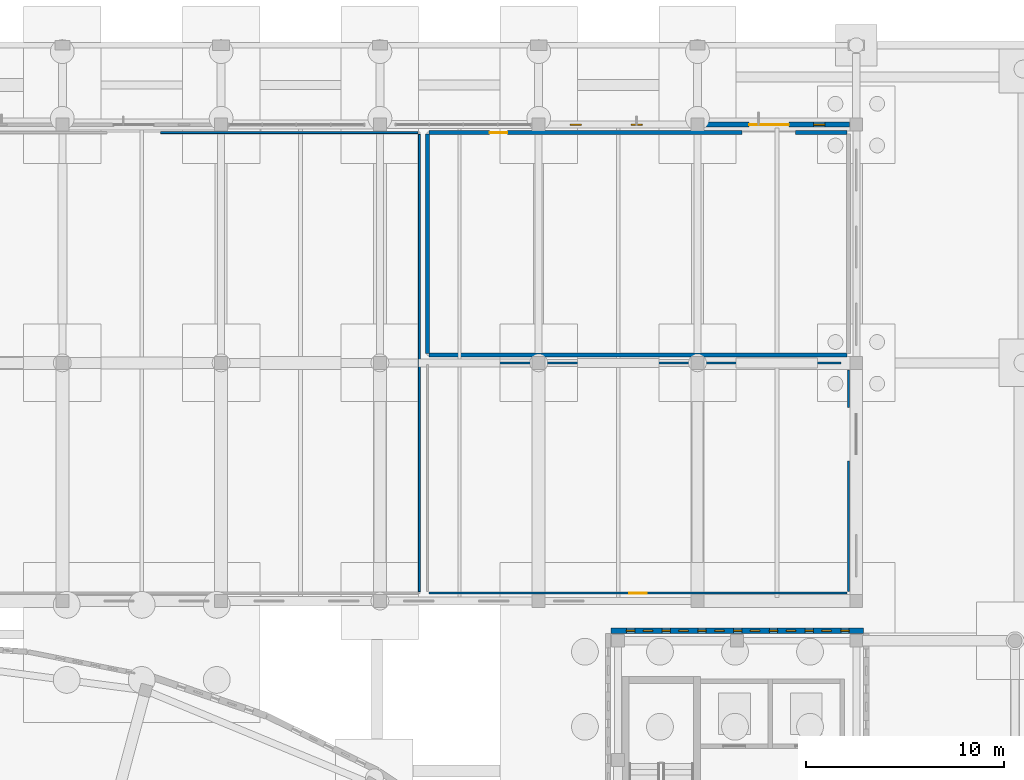
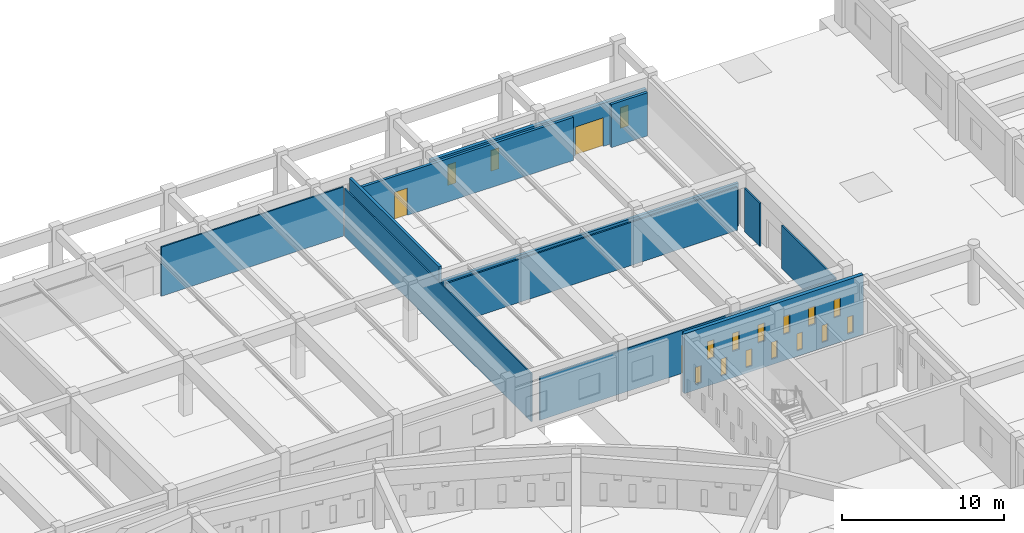
# One storey, part 58 of 84: 16 windows, 12 walls, 3 doors, 19 openings.
"""IFC4 building model written with IfcOpenShell, lengths in metres."""

from ifc_helpers import new_model, si_unit, direction, frame, frame_2d, origin, place, context, subcontext, project, spatial, rectangle, extrude, material, layer, layer_set, type_object, element, fill, save


model = new_model("IFC4")

# Units and contexts
model_context = context("Model", 3, precision=1e-05, world=origin(), true_north=direction((0.0, 1.0)))
body_context = subcontext(model_context, "Body", "Model", "MODEL_VIEW")
ifc_project = project(units=[si_unit("LENGTHUNIT", "METRE"), si_unit("AREAUNIT", "SQUARE_METRE"), si_unit("VOLUMEUNIT", "CUBIC_METRE"), si_unit("PLANEANGLEUNIT", "RADIAN"), si_unit("MASSUNIT", "GRAM", prefix="KILO")], contexts=[model_context])

# Site, building, storey
site_placement = place(None, origin())
site = spatial("IfcSite", under=ifc_project, at=site_placement, CompositionType="ELEMENT")
building_placement = place(site_placement, origin())
building = spatial("IfcBuilding", under=site, at=building_placement, Name="Larkveld Mobility Hub", CompositionType="ELEMENT")
storey_placement = place(building_placement, origin())
storey = spatial("IfcBuildingStorey", under=building, at=storey_placement, Name="L00", CompositionType="ELEMENT", Elevation=0.0)

# Wall, openings, windows
ifc_material_1 = material(Name="Fired clay brick 25 MPa", Category="masonry")
ifc_layer_1 = layer(ifc_material_1, 0.260009765625, Name="Fired clay brick 25 MPa", Category="masonry")
ifc_layer_set_1 = layer_set([ifc_layer_1], Name="Fired clay brick 25 MPa")
wall_type_1 = type_object("IfcWallType", Name="WL-BRK-260", PredefinedType="USERDEFINED", material=ifc_layer_set_1)
wall_1_placement = place(storey_placement, frame((96.360107421875, 96.5, 0.0), z_axis=(0.0, 0.0, 1.0), x_axis=(-1.0, 0.0, 0.0)))
wall_1 = element("IfcWall", 1, at=wall_1_placement, inside=storey, type_object=wall_type_1, Name="Square Brick Pavilion N Wall L00-0139", ObjectType="PERFORATED BRICK SCREEN", PredefinedType="USERDEFINED", context=body_context, shape_type="SweptSolid", body=[
    extrude(rectangle(XDim=12.72021484375, YDim=0.260009765625, at=frame_2d((6.360107421875, 0.0))), origin(), (0.0, 0.0, 1.0), 4.5),
])
opening_1_placement = place(wall_1_placement, frame((0.719970703125, 0.0, 0.419921875)))
opening_1 = element("IfcOpeningElement", 2, at=opening_1_placement, cuts=wall_1, Name="Opening W01", PredefinedType="OPENING", context=body_context, shape_type="SweptSolid", body=[
    extrude(rectangle(XDim=0.419921875, YDim=1.280029296875, at=frame_2d((0.2099609375, 0.64013671875))), frame((0.0, 0.14013671875, 0.0), z_axis=(0.0, -1.0, 0.0), x_axis=(1.0, 0.0, 0.0)), (0.0, 0.0, 1.0), 0.280029296875),
])
opening_2_placement = place(wall_1_placement, frame((2.52001953125, 0.0, 0.419921875)))
opening_2 = element("IfcOpeningElement", 3, at=opening_2_placement, cuts=wall_1, Name="Opening W01", PredefinedType="OPENING", context=body_context, shape_type="SweptSolid", body=[
    extrude(rectangle(XDim=0.419921875, YDim=1.280029296875, at=frame_2d((0.2099609375, 0.64013671875))), frame((0.0, 0.14013671875, 0.0), z_axis=(0.0, -1.0, 0.0), x_axis=(1.0, 0.0, 0.0)), (0.0, 0.0, 1.0), 0.280029296875),
])
opening_3_placement = place(wall_1_placement, frame((4.320068359375, 0.0, 0.419921875)))
opening_3 = element("IfcOpeningElement", 4, at=opening_3_placement, cuts=wall_1, Name="Opening W01", PredefinedType="OPENING", context=body_context, shape_type="SweptSolid", body=[
    extrude(rectangle(XDim=0.419921875, YDim=1.280029296875, at=frame_2d((0.2099609375, 0.64013671875))), frame((0.0, 0.14013671875, 0.0), z_axis=(0.0, -1.0, 0.0), x_axis=(1.0, 0.0, 0.0)), (0.0, 0.0, 1.0), 0.280029296875),
])
opening_4_placement = place(wall_1_placement, frame((6.1201171875, 0.0, 0.419921875)))
opening_4 = element("IfcOpeningElement", 5, at=opening_4_placement, cuts=wall_1, Name="Opening W01", PredefinedType="OPENING", context=body_context, shape_type="SweptSolid", body=[
    extrude(rectangle(XDim=0.419921875, YDim=1.280029296875, at=frame_2d((0.2099609375, 0.64013671875))), frame((0.0, 0.14013671875, 0.0), z_axis=(0.0, -1.0, 0.0), x_axis=(1.0, 0.0, 0.0)), (0.0, 0.0, 1.0), 0.280029296875),
])
opening_5_placement = place(wall_1_placement, frame((7.919921875, 0.0, 0.419921875)))
opening_5 = element("IfcOpeningElement", 6, at=opening_5_placement, cuts=wall_1, Name="Opening W01", PredefinedType="OPENING", context=body_context, shape_type="SweptSolid", body=[
    extrude(rectangle(XDim=0.419921875, YDim=1.280029296875, at=frame_2d((0.2099609375, 0.64013671875))), frame((0.0, 0.14013671875, 0.0), z_axis=(0.0, -1.0, 0.0), x_axis=(1.0, 0.0, 0.0)), (0.0, 0.0, 1.0), 0.280029296875),
])
opening_6_placement = place(wall_1_placement, frame((9.719970703125, 0.0, 0.419921875)))
opening_6 = element("IfcOpeningElement", 7, at=opening_6_placement, cuts=wall_1, Name="Opening W01", PredefinedType="OPENING", context=body_context, shape_type="SweptSolid", body=[
    extrude(rectangle(XDim=0.419921875, YDim=1.280029296875, at=frame_2d((0.2099609375, 0.64013671875))), frame((0.0, 0.14013671875, 0.0), z_axis=(0.0, -1.0, 0.0), x_axis=(1.0, 0.0, 0.0)), (0.0, 0.0, 1.0), 0.280029296875),
])
opening_7_placement = place(wall_1_placement, frame((11.52001953125, 0.0, 0.419921875)))
opening_7 = element("IfcOpeningElement", 8, at=opening_7_placement, cuts=wall_1, Name="Opening W01", PredefinedType="OPENING", context=body_context, shape_type="SweptSolid", body=[
    extrude(rectangle(XDim=0.419921875, YDim=1.280029296875, at=frame_2d((0.2099609375, 0.64013671875))), frame((0.0, 0.14013671875, 0.0), z_axis=(0.0, -1.0, 0.0), x_axis=(1.0, 0.0, 0.0)), (0.0, 0.0, 1.0), 0.280029296875),
])
opening_8_placement = place(wall_1_placement, frame((1.6201171875, 0.0, 1.97998046875)))
opening_8 = element("IfcOpeningElement", 9, at=opening_8_placement, cuts=wall_1, Name="Opening W03", PredefinedType="OPENING", context=body_context, shape_type="SweptSolid", body=[
    extrude(rectangle(XDim=0.47998046875, YDim=1.360107421875, at=frame_2d((0.239990234375, 0.68017578125))), frame((0.0, 0.14013671875, 0.0), z_axis=(0.0, -1.0, 0.0), x_axis=(1.0, 0.0, 0.0)), (0.0, 0.0, 1.0), 0.280029296875),
])
opening_9_placement = place(wall_1_placement, frame((3.419921875, 0.0, 1.97998046875)))
opening_9 = element("IfcOpeningElement", 10, at=opening_9_placement, cuts=wall_1, Name="Opening W03", PredefinedType="OPENING", context=body_context, shape_type="SweptSolid", body=[
    extrude(rectangle(XDim=0.47998046875, YDim=1.360107421875, at=frame_2d((0.239990234375, 0.68017578125))), frame((0.0, 0.14013671875, 0.0), z_axis=(0.0, -1.0, 0.0), x_axis=(1.0, 0.0, 0.0)), (0.0, 0.0, 1.0), 0.280029296875),
])
opening_10_placement = place(wall_1_placement, frame((5.219970703125, 0.0, 1.97998046875)))
opening_10 = element("IfcOpeningElement", 11, at=opening_10_placement, cuts=wall_1, Name="Opening W03", PredefinedType="OPENING", context=body_context, shape_type="SweptSolid", body=[
    extrude(rectangle(XDim=0.47998046875, YDim=1.360107421875, at=frame_2d((0.239990234375, 0.68017578125))), frame((0.0, 0.14013671875, 0.0), z_axis=(0.0, -1.0, 0.0), x_axis=(1.0, 0.0, 0.0)), (0.0, 0.0, 1.0), 0.280029296875),
])
opening_11_placement = place(wall_1_placement, frame((7.02001953125, 0.0, 1.97998046875)))
opening_11 = element("IfcOpeningElement", 12, at=opening_11_placement, cuts=wall_1, Name="Opening W03", PredefinedType="OPENING", context=body_context, shape_type="SweptSolid", body=[
    extrude(rectangle(XDim=0.47998046875, YDim=1.360107421875, at=frame_2d((0.239990234375, 0.68017578125))), frame((0.0, 0.14013671875, 0.0), z_axis=(0.0, -1.0, 0.0), x_axis=(1.0, 0.0, 0.0)), (0.0, 0.0, 1.0), 0.280029296875),
])
opening_12_placement = place(wall_1_placement, frame((8.820068359375, 0.0, 1.97998046875)))
opening_12 = element("IfcOpeningElement", 13, at=opening_12_placement, cuts=wall_1, Name="Opening W03", PredefinedType="OPENING", context=body_context, shape_type="SweptSolid", body=[
    extrude(rectangle(XDim=0.47998046875, YDim=1.360107421875, at=frame_2d((0.239990234375, 0.68017578125))), frame((0.0, 0.14013671875, 0.0), z_axis=(0.0, -1.0, 0.0), x_axis=(1.0, 0.0, 0.0)), (0.0, 0.0, 1.0), 0.280029296875),
])
opening_13_placement = place(wall_1_placement, frame((10.6201171875, 0.0, 1.97998046875)))
opening_13 = element("IfcOpeningElement", 14, at=opening_13_placement, cuts=wall_1, Name="Opening W03", PredefinedType="OPENING", context=body_context, shape_type="SweptSolid", body=[
    extrude(rectangle(XDim=0.47998046875, YDim=1.360107421875, at=frame_2d((0.239990234375, 0.68017578125))), frame((0.0, 0.14013671875, 0.0), z_axis=(0.0, -1.0, 0.0), x_axis=(1.0, 0.0, 0.0)), (0.0, 0.0, 1.0), 0.280029296875),
])
ifc_material_2 = material(Name="Extruded aluminium ventilation grille", Category="aluminium")
window_type_1 = type_object("IfcWindowType", Name="WN-VENT-01", PartitioningType="SINGLE_PANEL", PredefinedType="WINDOW", material=ifc_material_2)
window_1_placement = place(opening_1_placement, origin())
window_1 = element("IfcWindow", 15, at=window_1_placement, inside=storey, type_object=window_type_1, Name="Window W01 (0681)", OverallHeight=1.280029296875, OverallWidth=0.419921875, PartitioningType="SINGLE_PANEL", PredefinedType="WINDOW", context=body_context, shape_type="SweptSolid", body=[
    extrude(rectangle(XDim=0.419921875, YDim=1.280029296875, at=frame_2d((0.2099609375, 0.64013671875))), frame((0.0, 0.030029296875, 0.0), z_axis=(0.0, -1.0, 0.0), x_axis=(1.0, 0.0, 0.0)), (0.0, 0.0, 1.0), 0.06005859375),
])
fill(opening_1, window_1)
window_2_placement = place(opening_2_placement, origin())
window_2 = element("IfcWindow", 16, at=window_2_placement, inside=storey, type_object=window_type_1, Name="Window W01 (0682)", OverallHeight=1.280029296875, OverallWidth=0.419921875, PartitioningType="SINGLE_PANEL", PredefinedType="WINDOW", context=body_context, shape_type="SweptSolid", body=[
    extrude(rectangle(XDim=0.419921875, YDim=1.280029296875, at=frame_2d((0.2099609375, 0.64013671875))), frame((0.0, 0.030029296875, 0.0), z_axis=(0.0, -1.0, 0.0), x_axis=(1.0, 0.0, 0.0)), (0.0, 0.0, 1.0), 0.06005859375),
])
fill(opening_2, window_2)
window_3_placement = place(opening_3_placement, origin())
window_3 = element("IfcWindow", 17, at=window_3_placement, inside=storey, type_object=window_type_1, Name="Window W01 (0683)", OverallHeight=1.280029296875, OverallWidth=0.419921875, PartitioningType="SINGLE_PANEL", PredefinedType="WINDOW", context=body_context, shape_type="SweptSolid", body=[
    extrude(rectangle(XDim=0.419921875, YDim=1.280029296875, at=frame_2d((0.2099609375, 0.64013671875))), frame((0.0, 0.030029296875, 0.0), z_axis=(0.0, -1.0, 0.0), x_axis=(1.0, 0.0, 0.0)), (0.0, 0.0, 1.0), 0.06005859375),
])
fill(opening_3, window_3)
window_4_placement = place(opening_4_placement, origin())
window_4 = element("IfcWindow", 18, at=window_4_placement, inside=storey, type_object=window_type_1, Name="Window W01 (0684)", OverallHeight=1.280029296875, OverallWidth=0.419921875, PartitioningType="SINGLE_PANEL", PredefinedType="WINDOW", context=body_context, shape_type="SweptSolid", body=[
    extrude(rectangle(XDim=0.419921875, YDim=1.280029296875, at=frame_2d((0.2099609375, 0.64013671875))), frame((0.0, 0.030029296875, 0.0), z_axis=(0.0, -1.0, 0.0), x_axis=(1.0, 0.0, 0.0)), (0.0, 0.0, 1.0), 0.06005859375),
])
fill(opening_4, window_4)
window_5_placement = place(opening_5_placement, origin())
window_5 = element("IfcWindow", 19, at=window_5_placement, inside=storey, type_object=window_type_1, Name="Window W01 (0685)", OverallHeight=1.280029296875, OverallWidth=0.419921875, PartitioningType="SINGLE_PANEL", PredefinedType="WINDOW", context=body_context, shape_type="SweptSolid", body=[
    extrude(rectangle(XDim=0.419921875, YDim=1.280029296875, at=frame_2d((0.2099609375, 0.64013671875))), frame((0.0, 0.030029296875, 0.0), z_axis=(0.0, -1.0, 0.0), x_axis=(1.0, 0.0, 0.0)), (0.0, 0.0, 1.0), 0.06005859375),
])
fill(opening_5, window_5)
window_6_placement = place(opening_6_placement, origin())
window_6 = element("IfcWindow", 20, at=window_6_placement, inside=storey, type_object=window_type_1, Name="Window W01 (0686)", OverallHeight=1.280029296875, OverallWidth=0.419921875, PartitioningType="SINGLE_PANEL", PredefinedType="WINDOW", context=body_context, shape_type="SweptSolid", body=[
    extrude(rectangle(XDim=0.419921875, YDim=1.280029296875, at=frame_2d((0.2099609375, 0.64013671875))), frame((0.0, 0.030029296875, 0.0), z_axis=(0.0, -1.0, 0.0), x_axis=(1.0, 0.0, 0.0)), (0.0, 0.0, 1.0), 0.06005859375),
])
fill(opening_6, window_6)
window_7_placement = place(opening_7_placement, origin())
window_7 = element("IfcWindow", 21, at=window_7_placement, inside=storey, type_object=window_type_1, Name="Window W01 (0687)", OverallHeight=1.280029296875, OverallWidth=0.419921875, PartitioningType="SINGLE_PANEL", PredefinedType="WINDOW", context=body_context, shape_type="SweptSolid", body=[
    extrude(rectangle(XDim=0.419921875, YDim=1.280029296875, at=frame_2d((0.2099609375, 0.64013671875))), frame((0.0, 0.030029296875, 0.0), z_axis=(0.0, -1.0, 0.0), x_axis=(1.0, 0.0, 0.0)), (0.0, 0.0, 1.0), 0.06005859375),
])
fill(opening_7, window_7)
window_type_2 = type_object("IfcWindowType", Name="WN-VENT-03", PartitioningType="SINGLE_PANEL", PredefinedType="WINDOW", material=ifc_material_2)
window_8_placement = place(opening_8_placement, origin())
window_8 = element("IfcWindow", 22, at=window_8_placement, inside=storey, type_object=window_type_2, Name="Window W03 (0688)", OverallHeight=1.360107421875, OverallWidth=0.47998046875, PartitioningType="SINGLE_PANEL", PredefinedType="WINDOW", context=body_context, shape_type="SweptSolid", body=[
    extrude(rectangle(XDim=0.47998046875, YDim=1.360107421875, at=frame_2d((0.239990234375, 0.68017578125))), frame((0.0, 0.030029296875, 0.0), z_axis=(0.0, -1.0, 0.0), x_axis=(1.0, 0.0, 0.0)), (0.0, 0.0, 1.0), 0.06005859375),
])
fill(opening_8, window_8)
window_9_placement = place(opening_9_placement, origin())
window_9 = element("IfcWindow", 23, at=window_9_placement, inside=storey, type_object=window_type_2, Name="Window W03 (0689)", OverallHeight=1.360107421875, OverallWidth=0.47998046875, PartitioningType="SINGLE_PANEL", PredefinedType="WINDOW", context=body_context, shape_type="SweptSolid", body=[
    extrude(rectangle(XDim=0.47998046875, YDim=1.360107421875, at=frame_2d((0.239990234375, 0.68017578125))), frame((0.0, 0.030029296875, 0.0), z_axis=(0.0, -1.0, 0.0), x_axis=(1.0, 0.0, 0.0)), (0.0, 0.0, 1.0), 0.06005859375),
])
fill(opening_9, window_9)
window_10_placement = place(opening_10_placement, origin())
window_10 = element("IfcWindow", 24, at=window_10_placement, inside=storey, type_object=window_type_2, Name="Window W03 (0690)", OverallHeight=1.360107421875, OverallWidth=0.47998046875, PartitioningType="SINGLE_PANEL", PredefinedType="WINDOW", context=body_context, shape_type="SweptSolid", body=[
    extrude(rectangle(XDim=0.47998046875, YDim=1.360107421875, at=frame_2d((0.239990234375, 0.68017578125))), frame((0.0, 0.030029296875, 0.0), z_axis=(0.0, -1.0, 0.0), x_axis=(1.0, 0.0, 0.0)), (0.0, 0.0, 1.0), 0.06005859375),
])
fill(opening_10, window_10)
window_11_placement = place(opening_11_placement, origin())
window_11 = element("IfcWindow", 25, at=window_11_placement, inside=storey, type_object=window_type_2, Name="Window W03 (0691)", OverallHeight=1.360107421875, OverallWidth=0.47998046875, PartitioningType="SINGLE_PANEL", PredefinedType="WINDOW", context=body_context, shape_type="SweptSolid", body=[
    extrude(rectangle(XDim=0.47998046875, YDim=1.360107421875, at=frame_2d((0.239990234375, 0.68017578125))), frame((0.0, 0.030029296875, 0.0), z_axis=(0.0, -1.0, 0.0), x_axis=(1.0, 0.0, 0.0)), (0.0, 0.0, 1.0), 0.06005859375),
])
fill(opening_11, window_11)
window_12_placement = place(opening_12_placement, origin())
window_12 = element("IfcWindow", 26, at=window_12_placement, inside=storey, type_object=window_type_2, Name="Window W03 (0692)", OverallHeight=1.360107421875, OverallWidth=0.47998046875, PartitioningType="SINGLE_PANEL", PredefinedType="WINDOW", context=body_context, shape_type="SweptSolid", body=[
    extrude(rectangle(XDim=0.47998046875, YDim=1.360107421875, at=frame_2d((0.239990234375, 0.68017578125))), frame((0.0, 0.030029296875, 0.0), z_axis=(0.0, -1.0, 0.0), x_axis=(1.0, 0.0, 0.0)), (0.0, 0.0, 1.0), 0.06005859375),
])
fill(opening_12, window_12)
window_13_placement = place(opening_13_placement, origin())
window_13 = element("IfcWindow", 27, at=window_13_placement, inside=storey, type_object=window_type_2, Name="Window W03 (0693)", OverallHeight=1.360107421875, OverallWidth=0.47998046875, PartitioningType="SINGLE_PANEL", PredefinedType="WINDOW", context=body_context, shape_type="SweptSolid", body=[
    extrude(rectangle(XDim=0.47998046875, YDim=1.360107421875, at=frame_2d((0.239990234375, 0.68017578125))), frame((0.0, 0.030029296875, 0.0), z_axis=(0.0, -1.0, 0.0), x_axis=(1.0, 0.0, 0.0)), (0.0, 0.0, 1.0), 0.06005859375),
])
fill(opening_13, window_13)

# Wall, openings, door, windows
ifc_material_3 = material(Name="Glazed architectural ceramic masonry 20 MPa", Category="masonry")
ifc_layer_2 = layer(ifc_material_3, 0.2451171875, Name="Glazed architectural ceramic masonry 20 MPa", Category="masonry")
ifc_layer_set_2 = layer_set([ifc_layer_2], Name="Glazed architectural ceramic masonry 20 MPa")
wall_type_2 = type_object("IfcWallType", Name="WL-COB-245", PredefinedType="USERDEFINED", material=ifc_layer_set_2)
wall_2_placement = place(storey_placement, frame((95.6650390625, 122.0, 0.0), z_axis=(0.0, 0.0, 1.0), x_axis=(-1.0, 0.0, 0.0)))
wall_2 = element("IfcWall", 28, at=wall_2_placement, inside=storey, type_object=wall_type_2, Name="Bicycle Hall Ceramic Cobogo Screen L00-0183", ObjectType="CERAMIC COBOGO SCREEN", PredefinedType="USERDEFINED", context=body_context, shape_type="SweptSolid", body=[
    extrude(rectangle(XDim=15.330078125, YDim=0.2451171875, at=frame_2d((7.6650390625, 0.0))), origin(), (0.0, 0.0, 1.0), 3.2451171875),
])
opening_14_placement = place(wall_2_placement, frame((3.06494140625, 0.0, 0.0)))
opening_14 = element("IfcOpeningElement", 29, at=opening_14_placement, cuts=wall_2, Name="Opening ED02", PredefinedType="OPENING", context=body_context, shape_type="SweptSolid", body=[
    extrude(rectangle(XDim=2.0, YDim=2.14990234375, at=frame_2d((1.0, 1.074951171875))), frame((0.0, 0.132568359375, 0.0), z_axis=(0.0, -1.0, 0.0), x_axis=(1.0, 0.0, 0.0)), (0.0, 0.0, 1.0), 0.26513671875),
])
opening_15_placement = place(wall_2_placement, frame((1.2529296875, 0.0, 0.85009765625)))
opening_15 = element("IfcOpeningElement", 30, at=opening_15_placement, cuts=wall_2, Name="Opening W04", PredefinedType="OPENING", context=body_context, shape_type="SweptSolid", body=[
    extrude(rectangle(XDim=0.56005859375, YDim=1.550048828125, at=frame_2d((0.280029296875, 0.77490234375))), frame((0.0, 0.132568359375, 0.0), z_axis=(0.0, -1.0, 0.0), x_axis=(1.0, 0.0, 0.0)), (0.0, 0.0, 1.0), 0.26513671875),
])
opening_16_placement = place(wall_2_placement, frame((10.450927734375, 0.0, 0.85009765625)))
opening_16 = element("IfcOpeningElement", 31, at=opening_16_placement, cuts=wall_2, Name="Opening W04", PredefinedType="OPENING", context=body_context, shape_type="SweptSolid", body=[
    extrude(rectangle(XDim=0.56005859375, YDim=1.550048828125, at=frame_2d((0.280029296875, 0.77490234375))), frame((0.0, 0.132568359375, 0.0), z_axis=(0.0, -1.0, 0.0), x_axis=(1.0, 0.0, 0.0)), (0.0, 0.0, 1.0), 0.26513671875),
])
opening_17_placement = place(wall_2_placement, frame((13.51708984375, 0.0, 0.85009765625)))
opening_17 = element("IfcOpeningElement", 32, at=opening_17_placement, cuts=wall_2, Name="Opening W04", PredefinedType="OPENING", context=body_context, shape_type="SweptSolid", body=[
    extrude(rectangle(XDim=0.56005859375, YDim=1.550048828125, at=frame_2d((0.280029296875, 0.77490234375))), frame((0.0, 0.132568359375, 0.0), z_axis=(0.0, -1.0, 0.0), x_axis=(1.0, 0.0, 0.0)), (0.0, 0.0, 1.0), 0.26513671875),
])
ifc_material_4 = material(Name="Anodised aluminium glazed entrance door", Category="aluminium")
door_type_1 = type_object("IfcDoorType", Name="DR-EXT-DB20", OperationType="DOUBLE_DOOR_SINGLE_SWING", PredefinedType="DOOR", material=ifc_material_4)
door_1_placement = place(opening_14_placement, origin())
door_1 = element("IfcDoor", 33, at=door_1_placement, inside=storey, type_object=door_type_1, Name="North Colonnade Cycle Hall Entrance EDR-L00-014", OperationType="DOUBLE_DOOR_SINGLE_SWING", OverallHeight=2.14990234375, OverallWidth=2.0, PredefinedType="DOOR", context=body_context, shape_type="SweptSolid", body=[
    extrude(rectangle(XDim=2.0, YDim=2.14990234375, at=frame_2d((1.0, 1.074951171875))), frame((0.0, 0.02490234375, 0.0), z_axis=(0.0, -1.0, 0.0), x_axis=(1.0, 0.0, 0.0)), (0.0, 0.0, 1.0), 0.050048828125),
])
fill(opening_14, door_1)
ifc_material_5 = material(Name="Extruded aluminium cobogo vent frame", Category="aluminium")
window_type_3 = type_object("IfcWindowType", Name="WN-VENT-04", PartitioningType="SINGLE_PANEL", PredefinedType="WINDOW", material=ifc_material_5)
window_14_placement = place(opening_15_placement, origin())
window_14 = element("IfcWindow", 34, at=window_14_placement, inside=storey, type_object=window_type_3, Name="Window W04 (0843)", OverallHeight=1.550048828125, OverallWidth=0.56005859375, PartitioningType="SINGLE_PANEL", PredefinedType="WINDOW", context=body_context, shape_type="SweptSolid", body=[
    extrude(rectangle(XDim=0.56005859375, YDim=1.550048828125, at=frame_2d((0.280029296875, 0.77490234375))), frame((0.0, 0.030029296875, 0.0), z_axis=(0.0, -1.0, 0.0), x_axis=(1.0, 0.0, 0.0)), (0.0, 0.0, 1.0), 0.06005859375),
])
fill(opening_15, window_14)
window_15_placement = place(opening_16_placement, origin())
window_15 = element("IfcWindow", 35, at=window_15_placement, inside=storey, type_object=window_type_3, Name="Window W04 (0844)", OverallHeight=1.550048828125, OverallWidth=0.56005859375, PartitioningType="SINGLE_PANEL", PredefinedType="WINDOW", context=body_context, shape_type="SweptSolid", body=[
    extrude(rectangle(XDim=0.56005859375, YDim=1.550048828125, at=frame_2d((0.280029296875, 0.77490234375))), frame((0.0, 0.030029296875, 0.0), z_axis=(0.0, -1.0, 0.0), x_axis=(1.0, 0.0, 0.0)), (0.0, 0.0, 1.0), 0.06005859375),
])
fill(opening_16, window_15)
window_16_placement = place(opening_17_placement, origin())
window_16 = element("IfcWindow", 36, at=window_16_placement, inside=storey, type_object=window_type_3, Name="Window W04 (0845)", OverallHeight=1.550048828125, OverallWidth=0.56005859375, PartitioningType="SINGLE_PANEL", PredefinedType="WINDOW", context=body_context, shape_type="SweptSolid", body=[
    extrude(rectangle(XDim=0.56005859375, YDim=1.550048828125, at=frame_2d((0.280029296875, 0.77490234375))), frame((0.0, 0.030029296875, 0.0), z_axis=(0.0, -1.0, 0.0), x_axis=(1.0, 0.0, 0.0)), (0.0, 0.0, 1.0), 0.06005859375),
])
fill(opening_17, window_16)

# Walls
ifc_material_6 = material(Name="Concrete blockwork masonry 14 MPa", Category="masonry")
ifc_layer_3 = layer(ifc_material_6, 0.10009765625, Name="Concrete blockwork masonry 14 MPa", Category="masonry")
ifc_layer_set_3 = layer_set([ifc_layer_3], Name="Concrete blockwork masonry 14 MPa")
wall_type_3 = type_object("IfcWallType", Name="WL-PRT-100", PredefinedType="PARTITIONING", material=ifc_layer_set_3)
wall_3_placement = place(storey_placement, frame((60.949951171875, 121.593994140625, 0.0), z_axis=(0.0, 0.0, 1.0), x_axis=(1.0, 0.0, 0.0)))
element("IfcWall", 37, at=wall_3_placement, inside=storey, type_object=wall_type_3, Name="E-Cargo Micro-Mobility Logistics Hub Partition 0034", PredefinedType="PARTITIONING", context=body_context, shape_type="SweptSolid", body=[
    extrude(rectangle(XDim=12.964111328125, YDim=0.10009765625, at=frame_2d((6.48193359375, 0.0))), origin(), (0.0, 0.0, 1.0), 3.695068359375),
])
wall_4_placement = place(storey_placement, frame((73.993896484375, 98.47998046875, 0.0), z_axis=(0.0, 0.0, 1.0), x_axis=(0.0, 1.0, 0.0)))
element("IfcWall", 38, at=wall_4_placement, inside=storey, type_object=wall_type_3, Name="E-Cargo Micro-Mobility Logistics Hub Partition 0036", PredefinedType="PARTITIONING", context=body_context, shape_type="SweptSolid", body=[
    extrude(rectangle(XDim=23.033935546875, YDim=0.10009765625, at=frame_2d((11.51708984375, 0.0))), origin(), (0.0, 0.0, 1.0), 3.594970703125),
])

# Wall, opening, door
ifc_layer_4 = layer(ifc_material_6, 0.110107421875, Name="Concrete blockwork masonry 14 MPa", Category="masonry")
ifc_layer_set_4 = layer_set([ifc_layer_4], Name="Concrete blockwork masonry 14 MPa")
wall_type_4 = type_object("IfcWallType", Name="WL-PRT-110", PredefinedType="PARTITIONING", material=ifc_layer_set_4)
wall_5_placement = place(storey_placement, frame((74.47998046875, 98.39990234375, 0.0), z_axis=(0.0, 0.0, 1.0), x_axis=(1.0, 0.0, 0.0)))
wall_5 = element("IfcWall", 39, at=wall_5_placement, inside=storey, type_object=wall_type_4, Name="Cycle Repair and Maintenance Workshop Partition 0037", PredefinedType="PARTITIONING", context=body_context, shape_type="SweptSolid", body=[
    extrude(rectangle(XDim=21.0400390625, YDim=0.110107421875, at=frame_2d((10.52001953125, 0.0))), origin(), (0.0, 0.0, 1.0), 3.2451171875),
])
opening_18_placement = place(wall_5_placement, frame((10.070068359375, 0.0, 0.0)))
opening_18 = element("IfcOpeningElement", 40, at=opening_18_placement, cuts=wall_5, Name="Opening DI01", PredefinedType="OPENING", context=body_context, shape_type="SweptSolid", body=[
    extrude(rectangle(XDim=0.89990234375, YDim=2.10009765625, at=frame_2d((0.449951171875, 1.050048828125))), frame((0.0, 0.06494140625, 0.0), z_axis=(0.0, -1.0, 0.0), x_axis=(1.0, 0.0, 0.0)), (0.0, 0.0, 1.0), 0.130126953125),
])
ifc_material_7 = material(Name="Solid-core hardwood timber door in aluminium frame", Category="wood")
door_type_2 = type_object("IfcDoorType", Name="DR-INT-090", OperationType="NOTDEFINED", PredefinedType="DOOR", material=ifc_material_7)
door_2_placement = place(opening_18_placement, origin())
door_2 = element("IfcDoor", 41, at=door_2_placement, inside=storey, type_object=door_type_2, Name="Cycle Repair and Maintenance Workshop Door 0010", OperationType="SINGLE_SWING_LEFT", OverallHeight=2.10009765625, OverallWidth=0.89990234375, PredefinedType="DOOR", context=body_context, shape_type="SweptSolid", body=[
    extrude(rectangle(XDim=0.89990234375, YDim=2.10009765625, at=frame_2d((0.449951171875, 1.050048828125))), frame((0.0, 0.02490234375, 0.0), z_axis=(0.0, -1.0, 0.0), x_axis=(1.0, 0.0, 0.0)), (0.0, 0.0, 1.0), 0.050048828125),
])
fill(opening_18, door_2)

# Walls
wall_6_placement = place(storey_placement, frame((74.47998046875, 110.0, 0.0), z_axis=(0.0, 0.0, 1.0), x_axis=(1.0, 0.0, 0.0)))
element("IfcWall", 42, at=wall_6_placement, inside=storey, type_object=wall_type_4, Name="Cycle Repair and Maintenance Workshop Partition 0038", PredefinedType="PARTITIONING", context=body_context, shape_type="SweptSolid", body=[
    extrude(rectangle(XDim=20.755126953125, YDim=0.110107421875, at=frame_2d((10.37744140625, 0.0))), origin(), (0.0, 0.0, 1.0), 3.2451171875),
])
wall_7_placement = place(storey_placement, frame((95.60009765625, 98.47998046875, 0.0), z_axis=(0.0, 0.0, 1.0), x_axis=(0.0, 1.0, 0.0)))
element("IfcWall", 43, at=wall_7_placement, inside=storey, type_object=wall_type_4, Name="Cycle Repair and Maintenance Workshop Partition 0040", PredefinedType="PARTITIONING", context=body_context, shape_type="SweptSolid", body=[
    extrude(rectangle(XDim=6.570068359375, YDim=0.110107421875, at=frame_2d((3.28515625, 0.0))), origin(), (0.0, 0.0, 1.0), 3.2451171875),
])
wall_8_placement = place(storey_placement, frame((95.60009765625, 107.75, 0.0), z_axis=(0.0, 0.0, 1.0), x_axis=(0.0, 1.0, 0.0)))
element("IfcWall", 44, at=wall_8_placement, inside=storey, type_object=wall_type_4, Name="Cycle Repair and Maintenance Workshop Partition 0041", PredefinedType="PARTITIONING", context=body_context, shape_type="SweptSolid", body=[
    extrude(rectangle(XDim=1.885009765625, YDim=0.110107421875, at=frame_2d((0.9423828125, 0.0))), origin(), (0.0, 0.0, 1.0), 3.2451171875),
])
ifc_layer_5 = layer(ifc_material_6, 0.195068359375, Name="Concrete blockwork masonry 14 MPa", Category="masonry")
ifc_layer_set_5 = layer_set([ifc_layer_5], Name="Concrete blockwork masonry 14 MPa")
wall_type_5 = type_object("IfcWallType", Name="WL-PRT-195", PredefinedType="PARTITIONING", material=ifc_layer_set_5)
wall_9_placement = place(storey_placement, frame((74.47998046875, 110.39990234375, 0.0), z_axis=(0.0, 0.0, 1.0), x_axis=(1.0, 0.0, 0.0)))
element("IfcWall", 45, at=wall_9_placement, inside=storey, type_object=wall_type_5, Name="Bicycle Rental and Helmet Store Partition 0042", PredefinedType="PARTITIONING", context=body_context, shape_type="SweptSolid", body=[
    extrude(rectangle(XDim=21.0400390625, YDim=0.195068359375, at=frame_2d((10.52001953125, 0.0))), origin(), (0.0, 0.0, 1.0), 3.2451171875),
])

# Wall, opening, door
wall_10_placement = place(storey_placement, frame((74.47998046875, 121.60009765625, 0.0), z_axis=(0.0, 0.0, 1.0), x_axis=(1.0, 0.0, 0.0)))
wall_10 = element("IfcWall", 46, at=wall_10_placement, inside=storey, type_object=wall_type_5, Name="Bicycle Rental and Helmet Store Partition 0043", PredefinedType="PARTITIONING", context=body_context, shape_type="SweptSolid", body=[
    extrude(rectangle(XDim=15.77001953125, YDim=0.195068359375, at=frame_2d((7.885009765625, 0.0))), origin(), (0.0, 0.0, 1.0), 3.2451171875),
])
opening_19_placement = place(wall_10_placement, frame((3.0458984375, 0.0, 0.0)))
opening_19 = element("IfcOpeningElement", 47, at=opening_19_placement, cuts=wall_10, Name="Opening DF03", PredefinedType="OPENING", context=body_context, shape_type="SweptSolid", body=[
    extrude(rectangle(XDim=0.89990234375, YDim=2.050048828125, at=frame_2d((0.449951171875, 1.02490234375))), frame((0.0, 0.107421875, 0.0), z_axis=(0.0, -1.0, 0.0), x_axis=(1.0, 0.0, 0.0)), (0.0, 0.0, 1.0), 0.215087890625),
])
ifc_material_8 = material(Name="Pressed Steel S355JR fire door assembly", Category="steel")
door_type_3 = type_object("IfcDoorType", Name="DR-RISER", OperationType="NOTDEFINED", PredefinedType="DOOR", material=ifc_material_8)
door_3_placement = place(opening_19_placement, origin())
door_3 = element("IfcDoor", 48, at=door_3_placement, inside=storey, type_object=door_type_3, Name="Bicycle Rental and Helmet Store Door 0011", OperationType="SINGLE_SWING_RIGHT", OverallHeight=2.050048828125, OverallWidth=0.89990234375, PredefinedType="DOOR", context=body_context, shape_type="SweptSolid", body=[
    extrude(rectangle(XDim=0.89990234375, YDim=2.050048828125, at=frame_2d((0.449951171875, 1.02490234375))), frame((0.0, 0.02490234375, 0.0), z_axis=(0.0, -1.0, 0.0), x_axis=(1.0, 0.0, 0.0)), (0.0, 0.0, 1.0), 0.050048828125),
])
fill(opening_19, door_3)

# Walls
wall_11_placement = place(storey_placement, frame((92.949951171875, 121.60009765625, 0.0), z_axis=(0.0, 0.0, 1.0), x_axis=(1.0, 0.0, 0.0)))
element("IfcWall", 49, at=wall_11_placement, inside=storey, type_object=wall_type_5, Name="Bicycle Rental and Helmet Store Partition 0044", PredefinedType="PARTITIONING", context=body_context, shape_type="SweptSolid", body=[
    extrude(rectangle(XDim=2.570068359375, YDim=0.195068359375, at=frame_2d((1.28515625, 0.0))), origin(), (0.0, 0.0, 1.0), 3.2451171875),
])
wall_12_placement = place(storey_placement, frame((74.39990234375, 110.47998046875, 0.0), z_axis=(0.0, 0.0, 1.0), x_axis=(0.0, 1.0, 0.0)))
element("IfcWall", 50, at=wall_12_placement, inside=storey, type_object=wall_type_5, Name="Bicycle Rental and Helmet Store Partition 0045", PredefinedType="PARTITIONING", context=body_context, shape_type="SweptSolid", body=[
    extrude(rectangle(XDim=11.0400390625, YDim=0.195068359375, at=frame_2d((5.52001953125, 0.0))), origin(), (0.0, 0.0, 1.0), 4.2451171875),
])

save(model, "model.ifc")
